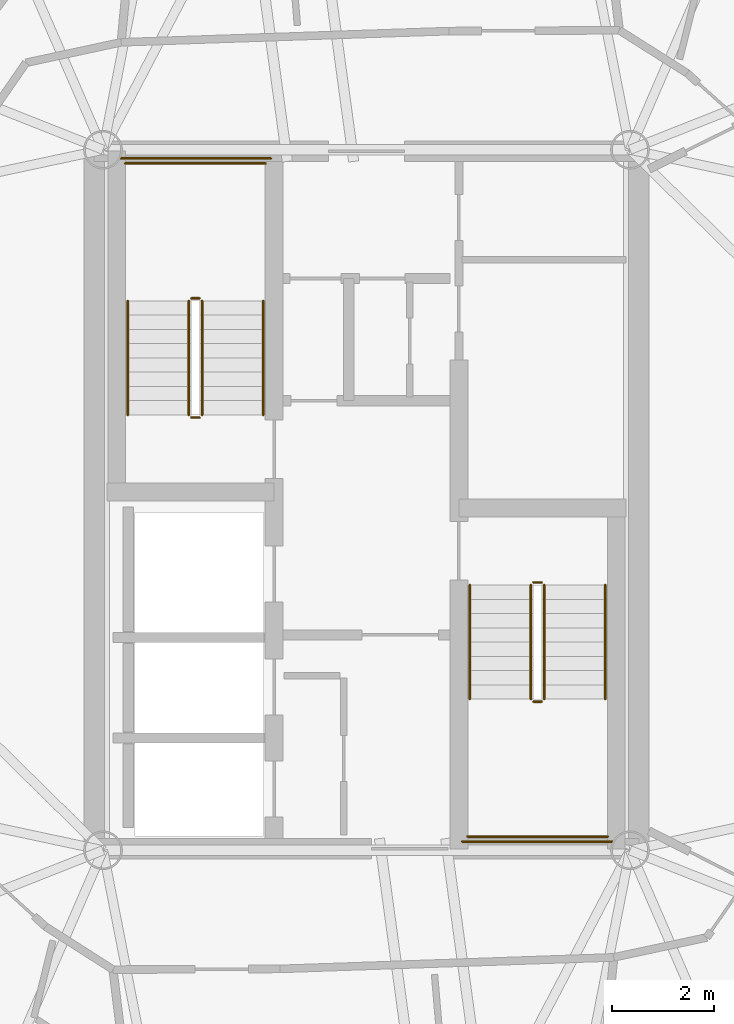
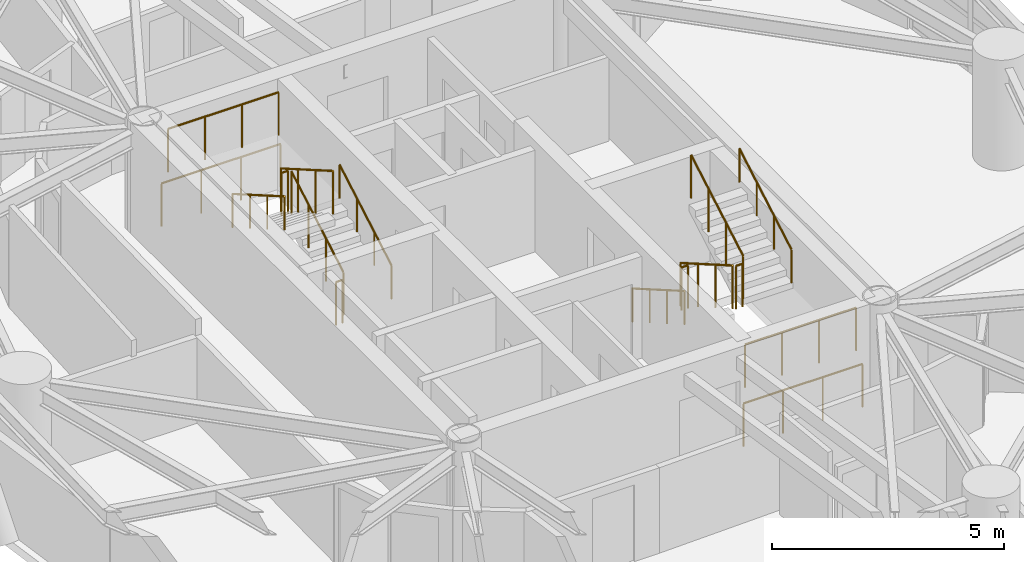
# One storey, part 16 of 17: 16 railings.
"""IFC4 building model written with IfcOpenShell, lengths in metres."""

from ifc_helpers import new_model, si_unit, direction, frame, origin, origin_2d, place, context, subcontext, project, spatial, circle, extrude, material, type_object, element, save


model = new_model("IFC4")

# Units and contexts
model_context = context("Model", 3, precision=1e-05, world=origin(), true_north=direction((0.0, 1.0)))
body_context = subcontext(model_context, "Body", "Model", "MODEL_VIEW")
ifc_project = project(units=[si_unit("LENGTHUNIT", "METRE"), si_unit("AREAUNIT", "SQUARE_METRE"), si_unit("VOLUMEUNIT", "CUBIC_METRE"), si_unit("PLANEANGLEUNIT", "RADIAN"), si_unit("MASSUNIT", "GRAM", prefix="KILO")], contexts=[model_context])

# Site, building, storey
site_placement = place(None, origin())
site = spatial("IfcSite", under=ifc_project, at=site_placement, CompositionType="ELEMENT")
building_placement = place(site_placement, origin())
building = spatial("IfcBuilding", under=site, at=building_placement, Name="Cununo Teusaquillo Station Towers", CompositionType="ELEMENT")
storey_placement = place(building_placement, frame((0.0, 0.0, 183.610107421875)))
storey = spatial("IfcBuildingStorey", under=building, at=storey_placement, Name="L58", CompositionType="ELEMENT", Elevation=183.610107421875)

# Railings
ifc_material_1 = material(Name="Steel EN 10025-2 S355J2", Category="steel")
railing_type_1 = type_object("IfcRailingType", Name="RL-INT-GUARD", PredefinedType="GUARDRAIL", material=ifc_material_1)
railing_1_placement = place(storey_placement, frame((13.27001953125, 26.169921875, 0.16162109375)))
element("IfcRailing", 1, at=railing_1_placement, inside=storey, type_object=railing_type_1, Name="L58 ST-T1-1 stair guard 1", PredefinedType="GUARDRAIL", context=body_context, shape_type="SweptSolid", body=[
    extrude(circle(Radius=0.02392578125, at=origin_2d()), frame((0.0, 0.0, 1.1259765625), z_axis=(0.0, 0.866033117094, 0.499986639918), x_axis=(-1.0, 0.0, 0.0)), (0.0, 0.0, 1.0), 2.58642578125),
    extrude(circle(Radius=0.02099609375, at=origin_2d()), origin(), (0.0, 0.0, 1.0), 1.101806640625),
    extrude(circle(Radius=0.02099609375, at=origin_2d()), frame((0.0, 0.74658203125, 0.43115234375)), (0.0, 0.0, 1.0), 1.101806640625),
    extrude(circle(Radius=0.02099609375, at=origin_2d()), frame((0.0, 1.493408203125, 0.862060546875)), (0.0, 0.0, 1.0), 1.101806640625),
    extrude(circle(Radius=0.02099609375, at=origin_2d()), frame((0.0, 2.239990234375, 1.293212890625)), (0.0, 0.0, 1.0), 1.101806640625),
])
railing_2_placement = place(storey_placement, frame((13.219970703125, 28.4599609375, 1.454833984375)))
element("IfcRailing", 2, at=railing_2_placement, inside=storey, type_object=railing_type_1, Name="L58 ST-T1-1 stair guard 2", PredefinedType="GUARDRAIL", context=body_context, shape_type="SweptSolid", body=[
    extrude(circle(Radius=0.02392578125, at=origin_2d()), frame((0.0, 0.0, 1.1259765625), z_axis=(-1.0, 0.0, 0.0), x_axis=(0.0, -1.0, 0.0)), (0.0, 0.0, 1.0), 0.159912109375),
    extrude(circle(Radius=0.02099609375, at=origin_2d()), origin(), (0.0, 0.0, 1.0), 1.101806640625),
    extrude(circle(Radius=0.02099609375, at=origin_2d()), frame((-0.159912109375, 0.0, 0.0)), (0.0, 0.0, 1.0), 1.101806640625),
])
railing_3_placement = place(storey_placement, frame((14.52001953125, 31.110107421875, 1.454833984375)))
element("IfcRailing", 3, at=railing_3_placement, inside=storey, type_object=railing_type_1, Name="L58 ST-T1-1 stair guard 3", PredefinedType="GUARDRAIL", context=body_context, shape_type="SweptSolid", body=[
    extrude(circle(Radius=0.02392578125, at=origin_2d()), frame((0.0, 0.0, 1.1259765625), z_axis=(-1.0, 0.0, 0.0), x_axis=(0.0, -1.0, 0.0)), (0.0, 0.0, 1.0), 2.760009765625),
    extrude(circle(Radius=0.02099609375, at=origin_2d()), origin(), (0.0, 0.0, 1.0), 1.101806640625),
    extrude(circle(Radius=0.02099609375, at=origin_2d()), frame((-0.919921875, 0.0, 0.0)), (0.0, 0.0, 1.0), 1.101806640625),
    extrude(circle(Radius=0.02099609375, at=origin_2d()), frame((-1.840087890625, 0.0, 0.0)), (0.0, 0.0, 1.0), 1.101806640625),
    extrude(circle(Radius=0.02099609375, at=origin_2d()), frame((-2.760009765625, 0.0, 0.0)), (0.0, 0.0, 1.0), 1.101806640625),
])
railing_4_placement = place(storey_placement, frame((13.010009765625, 28.409912109375, 1.616455078125)))
element("IfcRailing", 4, at=railing_4_placement, inside=storey, type_object=railing_type_1, Name="L58 ST-T1-1 stair guard 4", PredefinedType="GUARDRAIL", context=body_context, shape_type="SweptSolid", body=[
    extrude(circle(Radius=0.02392578125, at=origin_2d()), frame((0.0, 0.0, 1.1259765625), z_axis=(0.0, -0.865992244559, 0.500057429065), x_axis=(1.0, 0.0, 0.0)), (0.0, 0.0, 1.0), 2.586669921875),
    extrude(circle(Radius=0.02099609375, at=origin_2d()), origin(), (0.0, 0.0, 1.0), 1.101806640625),
    extrude(circle(Radius=0.02099609375, at=origin_2d()), frame((0.0, -0.74658203125, 0.43115234375)), (0.0, 0.0, 1.0), 1.101806640625),
    extrude(circle(Radius=0.02099609375, at=origin_2d()), frame((0.0, -1.493408203125, 0.8623046875)), (0.0, 0.0, 1.0), 1.101806640625),
    extrude(circle(Radius=0.02099609375, at=origin_2d()), frame((0.0, -2.239990234375, 1.29345703125)), (0.0, 0.0, 1.0), 1.101806640625),
])
railing_5_placement = place(storey_placement, frame((13.219970703125, 26.1201171875, 0.0)))
element("IfcRailing", 5, at=railing_5_placement, inside=storey, type_object=railing_type_1, Name="L58 ST-T1-1 stair guard 5", PredefinedType="GUARDRAIL", context=body_context, shape_type="SweptSolid", body=[
    extrude(circle(Radius=0.02392578125, at=origin_2d()), frame((0.0, 0.0, 1.1259765625), z_axis=(-1.0, 0.0, 0.0), x_axis=(0.0, -1.0, 0.0)), (0.0, 0.0, 1.0), 0.159912109375),
    extrude(circle(Radius=0.02099609375, at=origin_2d()), origin(), (0.0, 0.0, 1.0), 1.101806640625),
    extrude(circle(Radius=0.02099609375, at=origin_2d()), frame((-0.159912109375, 0.0, 0.0)), (0.0, 0.0, 1.0), 1.101806640625),
])
railing_6_placement = place(storey_placement, frame((14.6201171875, 31.2099609375, 0.0)))
element("IfcRailing", 6, at=railing_6_placement, inside=storey, type_object=railing_type_1, Name="L58 ST-T1-1 stair guard 6", PredefinedType="GUARDRAIL", context=body_context, shape_type="SweptSolid", body=[
    extrude(circle(Radius=0.02392578125, at=origin_2d()), frame((0.0, 0.0, 1.1259765625), z_axis=(-1.0, 0.0, 0.0), x_axis=(0.0, -1.0, 0.0)), (0.0, 0.0, 1.0), 2.960205078125),
    extrude(circle(Radius=0.02099609375, at=origin_2d()), origin(), (0.0, 0.0, 1.0), 1.101806640625),
    extrude(circle(Radius=0.02099609375, at=origin_2d()), frame((-0.98681640625, 0.0, 0.0)), (0.0, 0.0, 1.0), 1.101806640625),
    extrude(circle(Radius=0.02099609375, at=origin_2d()), frame((-1.973388671875, 0.0, 0.0)), (0.0, 0.0, 1.0), 1.101806640625),
    extrude(circle(Radius=0.02099609375, at=origin_2d()), frame((-2.960205078125, 0.0, 0.0)), (0.0, 0.0, 1.0), 1.101806640625),
])
railing_7_placement = place(storey_placement, frame((19.72998046875, 22.830078125, 0.16162109375)))
element("IfcRailing", 7, at=railing_7_placement, inside=storey, type_object=railing_type_1, Name="L58 ST-T1-2 stair guard 1", PredefinedType="GUARDRAIL", context=body_context, shape_type="SweptSolid", body=[
    extrude(circle(Radius=0.02392578125, at=origin_2d()), frame((0.0, 0.0, 1.1259765625), z_axis=(0.0, -0.866033117094, 0.499986639918), x_axis=(1.0, 0.0, 0.0)), (0.0, 0.0, 1.0), 2.58642578125),
    extrude(circle(Radius=0.02099609375, at=origin_2d()), origin(), (0.0, 0.0, 1.0), 1.101806640625),
    extrude(circle(Radius=0.02099609375, at=origin_2d()), frame((0.0, -0.74658203125, 0.43115234375)), (0.0, 0.0, 1.0), 1.101806640625),
    extrude(circle(Radius=0.02099609375, at=origin_2d()), frame((0.0, -1.493408203125, 0.862060546875)), (0.0, 0.0, 1.0), 1.101806640625),
    extrude(circle(Radius=0.02099609375, at=origin_2d()), frame((0.0, -2.239990234375, 1.293212890625)), (0.0, 0.0, 1.0), 1.101806640625),
])
railing_8_placement = place(storey_placement, frame((19.780029296875, 20.5400390625, 1.454833984375)))
element("IfcRailing", 8, at=railing_8_placement, inside=storey, type_object=railing_type_1, Name="L58 ST-T1-2 stair guard 2", PredefinedType="GUARDRAIL", context=body_context, shape_type="SweptSolid", body=[
    extrude(circle(Radius=0.02392578125, at=origin_2d()), frame((0.0, 0.0, 1.1259765625), z_axis=(1.0, 0.0, 0.0), x_axis=(0.0, 1.0, 0.0)), (0.0, 0.0, 1.0), 0.159912109375),
    extrude(circle(Radius=0.02099609375, at=origin_2d()), origin(), (0.0, 0.0, 1.0), 1.101806640625),
    extrude(circle(Radius=0.02099609375, at=origin_2d()), frame((0.159912109375, 0.0, 0.0)), (0.0, 0.0, 1.0), 1.101806640625),
])
railing_9_placement = place(storey_placement, frame((18.47998046875, 17.889892578125, 1.454833984375)))
element("IfcRailing", 9, at=railing_9_placement, inside=storey, type_object=railing_type_1, Name="L58 ST-T1-2 stair guard 3", PredefinedType="GUARDRAIL", context=body_context, shape_type="SweptSolid", body=[
    extrude(circle(Radius=0.02392578125, at=origin_2d()), frame((0.0, 0.0, 1.1259765625), z_axis=(1.0, 0.0, 0.0), x_axis=(0.0, 1.0, 0.0)), (0.0, 0.0, 1.0), 2.760009765625),
    extrude(circle(Radius=0.02099609375, at=origin_2d()), origin(), (0.0, 0.0, 1.0), 1.101806640625),
    extrude(circle(Radius=0.02099609375, at=origin_2d()), frame((0.919921875, 0.0, 0.0)), (0.0, 0.0, 1.0), 1.101806640625),
    extrude(circle(Radius=0.02099609375, at=origin_2d()), frame((1.840087890625, 0.0, 0.0)), (0.0, 0.0, 1.0), 1.101806640625),
    extrude(circle(Radius=0.02099609375, at=origin_2d()), frame((2.760009765625, 0.0, 0.0)), (0.0, 0.0, 1.0), 1.101806640625),
])
railing_10_placement = place(storey_placement, frame((19.989990234375, 20.590087890625, 1.616455078125)))
element("IfcRailing", 10, at=railing_10_placement, inside=storey, type_object=railing_type_1, Name="L58 ST-T1-2 stair guard 4", PredefinedType="GUARDRAIL", context=body_context, shape_type="SweptSolid", body=[
    extrude(circle(Radius=0.02392578125, at=origin_2d()), frame((0.0, 0.0, 1.1259765625), z_axis=(0.0, 0.865992244559, 0.500057429065), x_axis=(-1.0, 0.0, 0.0)), (0.0, 0.0, 1.0), 2.586669921875),
    extrude(circle(Radius=0.02099609375, at=origin_2d()), origin(), (0.0, 0.0, 1.0), 1.101806640625),
    extrude(circle(Radius=0.02099609375, at=origin_2d()), frame((0.0, 0.74658203125, 0.43115234375)), (0.0, 0.0, 1.0), 1.101806640625),
    extrude(circle(Radius=0.02099609375, at=origin_2d()), frame((0.0, 1.493408203125, 0.8623046875)), (0.0, 0.0, 1.0), 1.101806640625),
    extrude(circle(Radius=0.02099609375, at=origin_2d()), frame((0.0, 2.239990234375, 1.29345703125)), (0.0, 0.0, 1.0), 1.101806640625),
])
railing_11_placement = place(storey_placement, frame((19.780029296875, 22.8798828125, 0.0)))
element("IfcRailing", 11, at=railing_11_placement, inside=storey, type_object=railing_type_1, Name="L58 ST-T1-2 stair guard 5", PredefinedType="GUARDRAIL", context=body_context, shape_type="SweptSolid", body=[
    extrude(circle(Radius=0.02392578125, at=origin_2d()), frame((0.0, 0.0, 1.1259765625), z_axis=(1.0, 0.0, 0.0), x_axis=(0.0, 1.0, 0.0)), (0.0, 0.0, 1.0), 0.159912109375),
    extrude(circle(Radius=0.02099609375, at=origin_2d()), origin(), (0.0, 0.0, 1.0), 1.101806640625),
    extrude(circle(Radius=0.02099609375, at=origin_2d()), frame((0.159912109375, 0.0, 0.0)), (0.0, 0.0, 1.0), 1.101806640625),
])
railing_12_placement = place(storey_placement, frame((18.3798828125, 17.7900390625, 0.0)))
element("IfcRailing", 12, at=railing_12_placement, inside=storey, type_object=railing_type_1, Name="L58 ST-T1-2 stair guard 6", PredefinedType="GUARDRAIL", context=body_context, shape_type="SweptSolid", body=[
    extrude(circle(Radius=0.02392578125, at=origin_2d()), frame((0.0, 0.0, 1.1259765625), z_axis=(1.0, 0.0, 0.0), x_axis=(0.0, 1.0, 0.0)), (0.0, 0.0, 1.0), 2.960205078125),
    extrude(circle(Radius=0.02099609375, at=origin_2d()), origin(), (0.0, 0.0, 1.0), 1.101806640625),
    extrude(circle(Radius=0.02099609375, at=origin_2d()), frame((0.98681640625, 0.0, 0.0)), (0.0, 0.0, 1.0), 1.101806640625),
    extrude(circle(Radius=0.02099609375, at=origin_2d()), frame((1.973388671875, 0.0, 0.0)), (0.0, 0.0, 1.0), 1.101806640625),
    extrude(circle(Radius=0.02099609375, at=origin_2d()), frame((2.960205078125, 0.0, 0.0)), (0.0, 0.0, 1.0), 1.101806640625),
])
ifc_material_2 = material(Name="Steel EN 10025-2 S355J2", Category="steel")
railing_type_2 = type_object("IfcRailingType", Name="RL-INT-HRAIL", PredefinedType="HANDRAIL", material=ifc_material_2)
railing_13_placement = place(storey_placement, frame((14.469970703125, 26.169921875, 0.16162109375)))
element("IfcRailing", 13, at=railing_13_placement, inside=storey, type_object=railing_type_2, Name="L58 ST-T1-1 stair handrail 1", PredefinedType="HANDRAIL", context=body_context, shape_type="SweptSolid", body=[
    extrude(circle(Radius=0.02392578125, at=origin_2d()), frame((0.0, 0.0, 0.8759765625), z_axis=(0.0, 0.866033117094, 0.499986639918), x_axis=(-1.0, 0.0, 0.0)), (0.0, 0.0, 1.0), 2.58642578125),
    extrude(circle(Radius=0.02099609375, at=origin_2d()), origin(), (0.0, 0.0, 1.0), 0.851806640625),
    extrude(circle(Radius=0.02099609375, at=origin_2d()), frame((0.0, 0.74658203125, 0.43115234375)), (0.0, 0.0, 1.0), 0.851806640625),
    extrude(circle(Radius=0.02099609375, at=origin_2d()), frame((0.0, 1.493408203125, 0.862060546875)), (0.0, 0.0, 1.0), 0.851806640625),
    extrude(circle(Radius=0.02099609375, at=origin_2d()), frame((0.0, 2.239990234375, 1.293212890625)), (0.0, 0.0, 1.0), 0.851806640625),
])
railing_14_placement = place(storey_placement, frame((11.81005859375, 28.409912109375, 1.616455078125)))
element("IfcRailing", 14, at=railing_14_placement, inside=storey, type_object=railing_type_2, Name="L58 ST-T1-1 stair handrail 2", PredefinedType="HANDRAIL", context=body_context, shape_type="SweptSolid", body=[
    extrude(circle(Radius=0.02392578125, at=origin_2d()), frame((0.0, 0.0, 0.8759765625), z_axis=(0.0, -0.865992244559, 0.500057429065), x_axis=(1.0, 0.0, 0.0)), (0.0, 0.0, 1.0), 2.586669921875),
    extrude(circle(Radius=0.02099609375, at=origin_2d()), origin(), (0.0, 0.0, 1.0), 0.851806640625),
    extrude(circle(Radius=0.02099609375, at=origin_2d()), frame((0.0, -0.74658203125, 0.43115234375)), (0.0, 0.0, 1.0), 0.851806640625),
    extrude(circle(Radius=0.02099609375, at=origin_2d()), frame((0.0, -1.493408203125, 0.8623046875)), (0.0, 0.0, 1.0), 0.851806640625),
    extrude(circle(Radius=0.02099609375, at=origin_2d()), frame((0.0, -2.239990234375, 1.29345703125)), (0.0, 0.0, 1.0), 0.851806640625),
])
railing_15_placement = place(storey_placement, frame((18.530029296875, 22.830078125, 0.16162109375)))
element("IfcRailing", 15, at=railing_15_placement, inside=storey, type_object=railing_type_2, Name="L58 ST-T1-2 stair handrail 1", PredefinedType="HANDRAIL", context=body_context, shape_type="SweptSolid", body=[
    extrude(circle(Radius=0.02392578125, at=origin_2d()), frame((0.0, 0.0, 0.8759765625), z_axis=(0.0, -0.866033117094, 0.499986639918), x_axis=(1.0, 0.0, 0.0)), (0.0, 0.0, 1.0), 2.58642578125),
    extrude(circle(Radius=0.02099609375, at=origin_2d()), origin(), (0.0, 0.0, 1.0), 0.851806640625),
    extrude(circle(Radius=0.02099609375, at=origin_2d()), frame((0.0, -0.74658203125, 0.43115234375)), (0.0, 0.0, 1.0), 0.851806640625),
    extrude(circle(Radius=0.02099609375, at=origin_2d()), frame((0.0, -1.493408203125, 0.862060546875)), (0.0, 0.0, 1.0), 0.851806640625),
    extrude(circle(Radius=0.02099609375, at=origin_2d()), frame((0.0, -2.239990234375, 1.293212890625)), (0.0, 0.0, 1.0), 0.851806640625),
])
railing_16_placement = place(storey_placement, frame((21.18994140625, 20.590087890625, 1.616455078125)))
element("IfcRailing", 16, at=railing_16_placement, inside=storey, type_object=railing_type_2, Name="L58 ST-T1-2 stair handrail 2", PredefinedType="HANDRAIL", context=body_context, shape_type="SweptSolid", body=[
    extrude(circle(Radius=0.02392578125, at=origin_2d()), frame((0.0, 0.0, 0.8759765625), z_axis=(0.0, 0.865992244559, 0.500057429065), x_axis=(-1.0, 0.0, 0.0)), (0.0, 0.0, 1.0), 2.586669921875),
    extrude(circle(Radius=0.02099609375, at=origin_2d()), origin(), (0.0, 0.0, 1.0), 0.851806640625),
    extrude(circle(Radius=0.02099609375, at=origin_2d()), frame((0.0, 0.74658203125, 0.43115234375)), (0.0, 0.0, 1.0), 0.851806640625),
    extrude(circle(Radius=0.02099609375, at=origin_2d()), frame((0.0, 1.493408203125, 0.8623046875)), (0.0, 0.0, 1.0), 0.851806640625),
    extrude(circle(Radius=0.02099609375, at=origin_2d()), frame((0.0, 2.239990234375, 1.29345703125)), (0.0, 0.0, 1.0), 0.851806640625),
])

save(model, "model.ifc")
